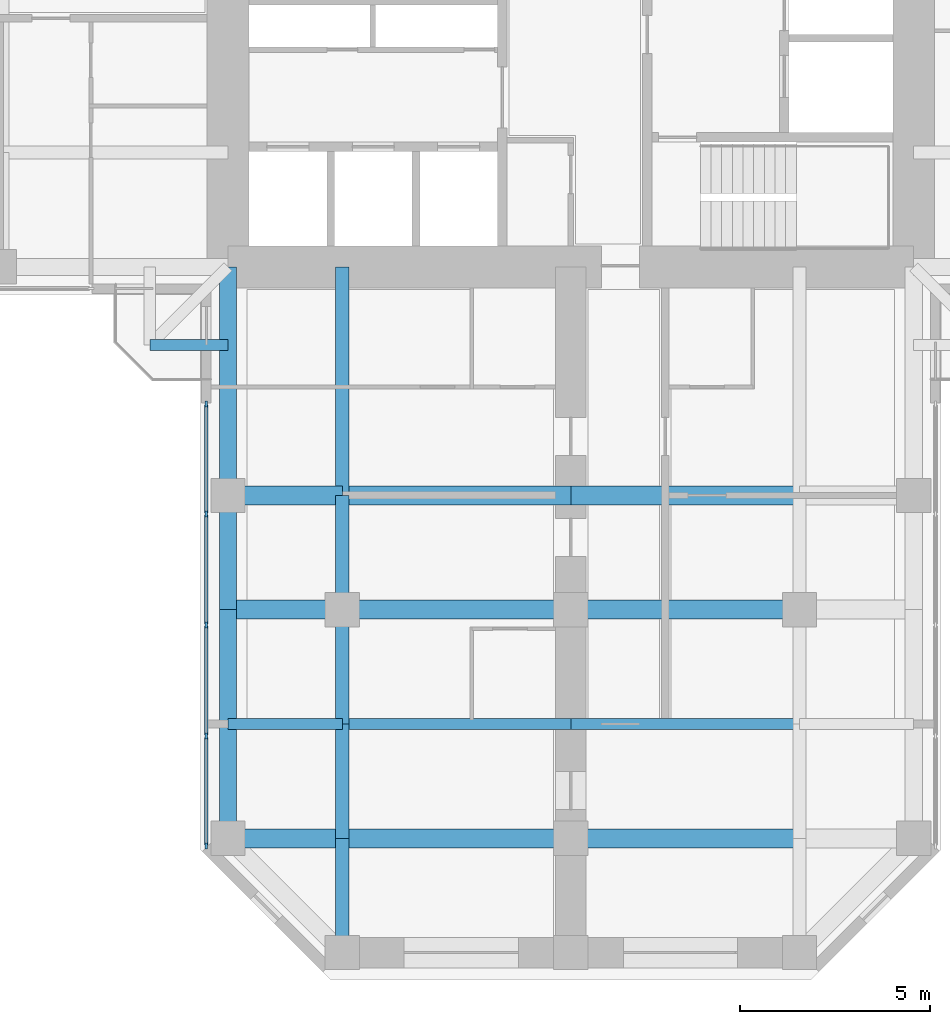
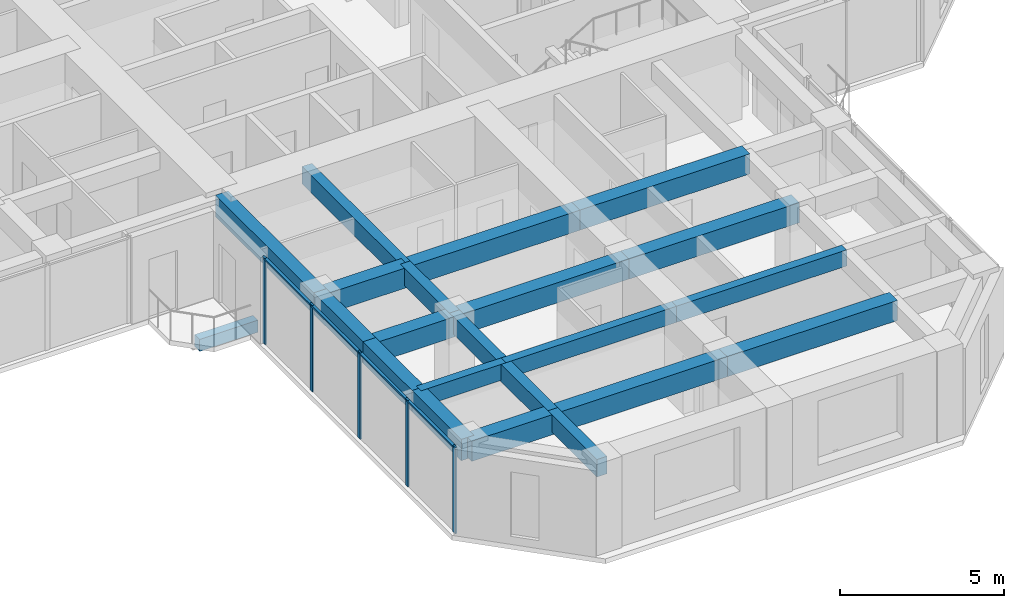
# One storey, part 2 of 14: 22 beams, 9 members, 1 element without a shape of its own.
"""IFC4 building model written with IfcOpenShell, lengths in metres."""

from ifc_helpers import new_model, si_unit, direction, frame, origin, origin_2d, place, context, subcontext, project, spatial, rectangle, extrude, material, material_profile, profile_set, type_object, element, aggregate, save


model = new_model("IFC4")

# Units and contexts
model_context = context("Model", 3, precision=1e-05, world=origin(), true_north=direction((0.0, 1.0)))
body_context = subcontext(model_context, "Body", "Model", "MODEL_VIEW")
ifc_project = project(units=[si_unit("LENGTHUNIT", "METRE"), si_unit("AREAUNIT", "SQUARE_METRE"), si_unit("VOLUMEUNIT", "CUBIC_METRE"), si_unit("PLANEANGLEUNIT", "RADIAN"), si_unit("MASSUNIT", "GRAM", prefix="KILO")], contexts=[model_context])

# Site, building, storey
site_placement = place(None, origin())
site = spatial("IfcSite", under=ifc_project, at=site_placement, CompositionType="ELEMENT")
building_placement = place(site_placement, origin())
building = spatial("IfcBuilding", under=site, at=building_placement, Name="Torre Cruceta", CompositionType="ELEMENT")
storey_placement = place(building_placement, frame((0.0, 0.0, 179.699951171875)))
storey = spatial("IfcBuildingStorey", under=building, at=storey_placement, Name="L44", CompositionType="ELEMENT", Elevation=179.699951171875)

# Beams
ifc_material_1 = material(Name="Concrete G60 (fck 60 MPa)", Category="concrete")
ifc_material_profile_1 = material_profile(ifc_material_1, rectangle(XDim=0.300048828125, YDim=0.449951171875, at=origin_2d()), Name="RC 300X450")
ifc_profile_set_1 = profile_set([ifc_material_profile_1], Name="Concrete G60 (fck 60 MPa)")
beam_type_1 = type_object("IfcBeamType", Name="BALCONY CANTILEVER BEAM RC 300X450", PredefinedType="BEAM", material=ifc_profile_set_1)
beam_1_placement = place(storey_placement, frame((-9.0, -11.050537109375, -0.405029296875), z_axis=(-1.0, 0.0, 0.0), x_axis=(0.0, -1.0, 0.0)))
element("IfcBeam", 1, at=beam_1_placement, inside=storey, type_object=beam_type_1, Name="BB1 balcony edge beam L44 W-Y", PredefinedType="BEAM", context=body_context, shape_type="SweptSolid", body=[
    extrude(rectangle(XDim=0.300048828125, YDim=0.449951171875, at=origin_2d()), origin(), (0.0, 0.0, 1.0), 2.050537109375),
])
ifc_material_2 = material(Name="Concrete G60 (fck 60 MPa)", Category="concrete")
ifc_material_profile_2 = material_profile(ifc_material_2, rectangle(XDim=0.35009765625, YDim=0.64990234375, at=origin_2d()), Name="RC 350X650")
ifc_profile_set_2 = profile_set([ifc_material_profile_2], Name="Concrete G60 (fck 60 MPa)")
beam_type_2 = type_object("IfcBeamType", Name="COLUMN LINE BEAM RC 350X650", PredefinedType="BEAM", material=ifc_profile_set_2)
beam_2_placement = place(storey_placement, frame((-6.0, -9.0, 2.89501953125), z_axis=(0.0, -1.0, 0.0), x_axis=(1.0, 0.0, 0.0)))
element("IfcBeam", 2, at=beam_2_placement, inside=storey, type_object=beam_type_2, Name="LB7 L44 S col- 1", PredefinedType="BEAM", context=body_context, shape_type="SweptSolid", body=[
    extrude(rectangle(XDim=0.35009765625, YDim=0.64990234375, at=origin_2d()), origin(), (0.0, 0.0, 1.0), 6.0),
])
for number, where, z_axis, x_axis, name in (
    (3, (-6.0, -15.0, 2.89501953125), (0.0, -1.0, 0.0), (1.0, 0.0, 0.0), "LB7 L44 S col- 2"),
    (4, (-6.0, -18.0, 2.89501953125), (0.0, -1.0, 0.0), (1.0, 0.0, 0.0), "LB7 L44 S col- 3"),
    (5, (-6.0, -21.0, 2.89501953125), (0.0, -1.0, 0.0), (1.0, 0.0, 0.0), "LB7 L44 S col- 4"),
    (6, (-6.0, -24.0, 2.89501953125), (0.0, -1.0, 0.0), (1.0, 0.0, 0.0), "LB7 L44 S col- 5"),
):
    element("IfcBeam", number, at=place(storey_placement, frame(where, z_axis=z_axis, x_axis=x_axis)), inside=storey, type_object=beam_type_2, Name=name, PredefinedType="BEAM", context=body_context, shape_type="SweptSolid", body=[
        extrude(rectangle(XDim=0.35009765625, YDim=0.64990234375, at=origin_2d()), origin(), (0.0, 0.0, 1.0), 3.0),
    ])
ifc_material_3 = material(Name="Concrete G60 (fck 60 MPa)", Category="concrete")
ifc_material_profile_3 = material_profile(ifc_material_3, rectangle(XDim=0.5, YDim=0.75, at=origin_2d()), Name="RC 500X750")
ifc_profile_set_3 = profile_set([ifc_material_profile_3], Name="Concrete G60 (fck 60 MPa)")
beam_type_3 = type_object("IfcBeamType", Name="CROSS BEAM RC 500X750", PredefinedType="BEAM", material=ifc_profile_set_3)
beam_3_placement = place(storey_placement, frame((-9.0, -15.0, 2.844970703125), z_axis=(1.0, 0.0, 0.0), x_axis=(0.0, 1.0, 0.0)))
element("IfcBeam", 7, at=beam_3_placement, inside=storey, type_object=beam_type_3, Name="GB6 L44 S cross15 1", PredefinedType="BEAM", context=body_context, shape_type="SweptSolid", body=[
    extrude(rectangle(XDim=0.5, YDim=0.75, at=origin_2d()), origin(), (0.0, 0.0, 1.0), 3.0),
])
for number, where, z_axis, x_axis, name in (
    (8, (-6.0, -15.0, 2.844970703125), (1.0, 0.0, 0.0), (0.0, 1.0, 0.0), "GB6 L44 S cross15 2"),
    (9, (0.0, -15.0, 2.844970703125), (1.0, 0.0, 0.0), (0.0, 1.0, 0.0), "GB6 L44 S cross15 3"),
):
    element("IfcBeam", number, at=place(storey_placement, frame(where, z_axis=z_axis, x_axis=x_axis)), inside=storey, type_object=beam_type_3, Name=name, PredefinedType="BEAM", context=body_context, shape_type="SweptSolid", body=[
        extrude(rectangle(XDim=0.5, YDim=0.75, at=origin_2d()), origin(), (0.0, 0.0, 1.0), 6.0),
    ])
beam_4_placement = place(storey_placement, frame((-9.0, -18.0, 2.844970703125), z_axis=(1.0, 0.0, 0.0), x_axis=(0.0, 1.0, 0.0)))
element("IfcBeam", 10, at=beam_4_placement, inside=storey, type_object=beam_type_3, Name="GB6 L44 S cross18 1", PredefinedType="BEAM", context=body_context, shape_type="SweptSolid", body=[
    extrude(rectangle(XDim=0.5, YDim=0.75, at=origin_2d()), origin(), (0.0, 0.0, 1.0), 3.0),
])
for number, where, z_axis, x_axis, name in (
    (11, (-6.0, -18.0, 2.844970703125), (1.0, 0.0, 0.0), (0.0, 1.0, 0.0), "GB6 L44 S cross18 2"),
    (12, (0.0, -18.0, 2.844970703125), (1.0, 0.0, 0.0), (0.0, 1.0, 0.0), "GB6 L44 S cross18 3"),
):
    element("IfcBeam", number, at=place(storey_placement, frame(where, z_axis=z_axis, x_axis=x_axis)), inside=storey, type_object=beam_type_3, Name=name, PredefinedType="BEAM", context=body_context, shape_type="SweptSolid", body=[
        extrude(rectangle(XDim=0.5, YDim=0.75, at=origin_2d()), origin(), (0.0, 0.0, 1.0), 6.0),
    ])
beam_5_placement = place(storey_placement, frame((-9.0, -24.0, 2.844970703125), z_axis=(1.0, 0.0, 0.0), x_axis=(0.0, 1.0, 0.0)))
element("IfcBeam", 13, at=beam_5_placement, inside=storey, type_object=beam_type_3, Name="GB6 L44 S cross24 1", PredefinedType="BEAM", context=body_context, shape_type="SweptSolid", body=[
    extrude(rectangle(XDim=0.5, YDim=0.75, at=origin_2d()), origin(), (0.0, 0.0, 1.0), 3.0),
])
for number, where, z_axis, x_axis, name in (
    (14, (-6.0, -24.0, 2.844970703125), (1.0, 0.0, 0.0), (0.0, 1.0, 0.0), "GB6 L44 S cross24 2"),
    (15, (0.0, -24.0, 2.844970703125), (1.0, 0.0, 0.0), (0.0, 1.0, 0.0), "GB6 L44 S cross24 3"),
):
    element("IfcBeam", number, at=place(storey_placement, frame(where, z_axis=z_axis, x_axis=x_axis)), inside=storey, type_object=beam_type_3, Name=name, PredefinedType="BEAM", context=body_context, shape_type="SweptSolid", body=[
        extrude(rectangle(XDim=0.5, YDim=0.75, at=origin_2d()), origin(), (0.0, 0.0, 1.0), 6.0),
    ])

# Curtain wall, members
ifc_material_4 = material(Name="Aluminium unitised curtain wall", Category="aluminium")
curtain_wall_type = type_object("IfcCurtainWallType", Name="CURTAIN WALL CW-C CO-LIVING", PredefinedType="USERDEFINED", material=ifc_material_4)
curtain_wall_placement = place(storey_placement, origin())
curtain_wall = element("IfcCurtainWall", 16, at=curtain_wall_placement, inside=storey, type_object=curtain_wall_type, Name="CW-C L44 S side 15", ObjectType="UNITISED", PredefinedType="USERDEFINED")
ifc_material_5 = material(Name="Aluminium mullion", Category="aluminium")
ifc_material_profile_4 = material_profile(ifc_material_5, rectangle(XDim=0.06005859375, YDim=0.159912109375, at=origin_2d()), Name="AL 60X160")
ifc_profile_set_4 = profile_set([ifc_material_profile_4], Name="Aluminium mullion")
member_type_1 = type_object("IfcMemberType", Name="CW-C MULLION 60X160", PredefinedType="MULLION", material=ifc_profile_set_4)
member_1_placement = place(storey_placement, frame((-9.570068359375, -12.60009765625, 0.0), z_axis=(0.0, 0.0, 1.0), x_axis=(1.0, 0.0, 0.0)))
member_1 = element("IfcMember", 17, at=member_1_placement, type_object=member_type_1, Name="CW-C mullion 1", PredefinedType="MULLION", context=body_context, shape_type="SweptSolid", body=[
    extrude(rectangle(XDim=0.06005859375, YDim=0.159912109375, at=origin_2d()), origin(), (0.0, 0.0, 1.0), 3.219970703125),
])
member_2_placement = place(storey_placement, frame((-9.570068359375, -15.486572265625, 0.0), z_axis=(0.0, 0.0, 1.0), x_axis=(1.0, 0.0, 0.0)))
member_2 = element("IfcMember", 18, at=member_2_placement, type_object=member_type_1, Name="CW-C mullion 2", PredefinedType="MULLION", context=body_context, shape_type="SweptSolid", body=[
    extrude(rectangle(XDim=0.06005859375, YDim=0.159912109375, at=origin_2d()), origin(), (0.0, 0.0, 1.0), 3.219970703125),
])
member_3_placement = place(storey_placement, frame((-9.570068359375, -18.403076171875, 0.0), z_axis=(0.0, 0.0, 1.0), x_axis=(1.0, 0.0, 0.0)))
member_3 = element("IfcMember", 19, at=member_3_placement, type_object=member_type_1, Name="CW-C mullion 3", PredefinedType="MULLION", context=body_context, shape_type="SweptSolid", body=[
    extrude(rectangle(XDim=0.06005859375, YDim=0.159912109375, at=origin_2d()), origin(), (0.0, 0.0, 1.0), 3.219970703125),
])
member_4_placement = place(storey_placement, frame((-9.570068359375, -21.319580078125, 0.0), z_axis=(0.0, 0.0, 1.0), x_axis=(1.0, 0.0, 0.0)))
member_4 = element("IfcMember", 20, at=member_4_placement, type_object=member_type_1, Name="CW-C mullion 4", PredefinedType="MULLION", context=body_context, shape_type="SweptSolid", body=[
    extrude(rectangle(XDim=0.06005859375, YDim=0.159912109375, at=origin_2d()), origin(), (0.0, 0.0, 1.0), 3.219970703125),
])
member_5_placement = place(storey_placement, frame((-9.570068359375, -24.2060546875, 0.0), z_axis=(0.0, 0.0, 1.0), x_axis=(1.0, 0.0, 0.0)))
member_5 = element("IfcMember", 21, at=member_5_placement, type_object=member_type_1, Name="CW-C mullion 5", PredefinedType="MULLION", context=body_context, shape_type="SweptSolid", body=[
    extrude(rectangle(XDim=0.06005859375, YDim=0.159912109375, at=origin_2d()), origin(), (0.0, 0.0, 1.0), 3.219970703125),
])
ifc_material_6 = material(Name="Aluminium transom", Category="aluminium")
ifc_material_profile_5 = material_profile(ifc_material_6, rectangle(XDim=0.10009765625, YDim=0.06005859375, at=origin_2d()), Name="AL 100X60")
ifc_profile_set_5 = profile_set([ifc_material_profile_5], Name="Aluminium transom")
member_type_2 = type_object("IfcMemberType", Name="CW-C TRANSOM 60X100", PredefinedType="USERDEFINED", material=ifc_profile_set_5)
member_6_placement = place(storey_placement, frame((-9.570068359375, -12.6298828125, 3.18994140625), z_axis=(0.0, -1.0, 0.0), x_axis=(1.0, 0.0, 0.0)))
member_6 = element("IfcMember", 22, at=member_6_placement, type_object=member_type_2, Name="CW-C transom 1", ObjectType="TRANSOM", PredefinedType="USERDEFINED", context=body_context, shape_type="SweptSolid", body=[
    extrude(rectangle(XDim=0.10009765625, YDim=0.06005859375, at=origin_2d()), origin(), (0.0, 0.0, 1.0), 2.82666015625),
])
member_7_placement = place(storey_placement, frame((-9.570068359375, -15.5166015625, 3.18994140625), z_axis=(0.0, -1.0, 0.0), x_axis=(1.0, 0.0, 0.0)))
member_7 = element("IfcMember", 23, at=member_7_placement, type_object=member_type_2, Name="CW-C transom 2", ObjectType="TRANSOM", PredefinedType="USERDEFINED", context=body_context, shape_type="SweptSolid", body=[
    extrude(rectangle(XDim=0.10009765625, YDim=0.06005859375, at=origin_2d()), origin(), (0.0, 0.0, 1.0), 2.8564453125),
])
member_8_placement = place(storey_placement, frame((-9.570068359375, -18.43310546875, 3.18994140625), z_axis=(0.0, -1.0, 0.0), x_axis=(1.0, 0.0, 0.0)))
member_8 = element("IfcMember", 24, at=member_8_placement, type_object=member_type_2, Name="CW-C transom 3", ObjectType="TRANSOM", PredefinedType="USERDEFINED", context=body_context, shape_type="SweptSolid", body=[
    extrude(rectangle(XDim=0.10009765625, YDim=0.06005859375, at=origin_2d()), origin(), (0.0, 0.0, 1.0), 2.8564453125),
])
member_9_placement = place(storey_placement, frame((-9.570068359375, -21.349609375, 3.18994140625), z_axis=(0.0, -1.0, 0.0), x_axis=(1.0, 0.0, 0.0)))
member_9 = element("IfcMember", 25, at=member_9_placement, type_object=member_type_2, Name="CW-C transom 4", ObjectType="TRANSOM", PredefinedType="USERDEFINED", context=body_context, shape_type="SweptSolid", body=[
    extrude(rectangle(XDim=0.10009765625, YDim=0.06005859375, at=origin_2d()), origin(), (0.0, 0.0, 1.0), 2.826416015625),
])
aggregate(curtain_wall, [member_1, member_2, member_3, member_4, member_5, member_6, member_7, member_8, member_9])

# Beams
ifc_material_7 = material(Name="Concrete G60 (fck 60 MPa)", Category="concrete")
ifc_material_profile_6 = material_profile(ifc_material_7, rectangle(XDim=0.300048828125, YDim=0.60009765625, at=origin_2d()), Name="RC 300X600")
ifc_profile_set_6 = profile_set([ifc_material_profile_6], Name="Concrete G60 (fck 60 MPa)")
beam_type_4 = type_object("IfcBeamType", Name="SECONDARY BEAM RC 300X600", PredefinedType="JOIST", material=ifc_profile_set_6)
beam_6_placement = place(storey_placement, frame((-9.0, -21.0, 2.920166015625), z_axis=(1.0, 0.0, 0.0), x_axis=(0.0, 1.0, 0.0)))
element("IfcBeam", 26, at=beam_6_placement, inside=storey, type_object=beam_type_4, Name="JB6 L44 S sec21 1", PredefinedType="JOIST", context=body_context, shape_type="SweptSolid", body=[
    extrude(rectangle(XDim=0.300048828125, YDim=0.60009765625, at=origin_2d()), origin(), (0.0, 0.0, 1.0), 3.0),
])
for number, where, z_axis, x_axis, name in (
    (27, (-6.0, -21.0, 2.920166015625), (1.0, 0.0, 0.0), (0.0, 1.0, 0.0), "JB6 L44 S sec21 2"),
    (28, (0.0, -21.0, 2.920166015625), (1.0, 0.0, 0.0), (0.0, 1.0, 0.0), "JB6 L44 S sec21 3"),
):
    element("IfcBeam", number, at=place(storey_placement, frame(where, z_axis=z_axis, x_axis=x_axis)), inside=storey, type_object=beam_type_4, Name=name, PredefinedType="JOIST", context=body_context, shape_type="SweptSolid", body=[
        extrude(rectangle(XDim=0.300048828125, YDim=0.60009765625, at=origin_2d()), origin(), (0.0, 0.0, 1.0), 6.0),
    ])
ifc_material_8 = material(Name="Concrete G60 (fck 60 MPa)", Category="concrete")
ifc_material_profile_7 = material_profile(ifc_material_8, rectangle(XDim=0.449951171875, YDim=0.800048828125, at=origin_2d()), Name="RC 450X800")
ifc_profile_set_7 = profile_set([ifc_material_profile_7], Name="Concrete G60 (fck 60 MPa)")
beam_type_5 = type_object("IfcBeamType", Name="SPANDREL BEAM RC 450X800", PredefinedType="SPANDREL", material=ifc_profile_set_7)
beam_7_placement = place(storey_placement, frame((-9.0, -9.0, 2.820068359375), z_axis=(0.0, -1.0, 0.0), x_axis=(1.0, 0.0, 0.0)))
element("IfcBeam", 29, at=beam_7_placement, inside=storey, type_object=beam_type_5, Name="SB6 L44 S side- 1", PredefinedType="SPANDREL", context=body_context, shape_type="SweptSolid", body=[
    extrude(rectangle(XDim=0.449951171875, YDim=0.800048828125, at=origin_2d()), origin(), (0.0, 0.0, 1.0), 6.0),
])
for number, where, z_axis, x_axis, name in (
    (30, (-9.0, -15.0, 2.820068359375), (0.0, -1.0, 0.0), (1.0, 0.0, 0.0), "SB6 L44 S side- 2"),
    (31, (-9.0, -18.0, 2.820068359375), (0.0, -1.0, 0.0), (1.0, 0.0, 0.0), "SB6 L44 S side- 3"),
    (32, (-9.0, -21.0, 2.820068359375), (0.0, -1.0, 0.0), (1.0, 0.0, 0.0), "SB6 L44 S side- 4"),
):
    element("IfcBeam", number, at=place(storey_placement, frame(where, z_axis=z_axis, x_axis=x_axis)), inside=storey, type_object=beam_type_5, Name=name, PredefinedType="SPANDREL", context=body_context, shape_type="SweptSolid", body=[
        extrude(rectangle(XDim=0.449951171875, YDim=0.800048828125, at=origin_2d()), origin(), (0.0, 0.0, 1.0), 3.0),
    ])

save(model, "model.ifc")
